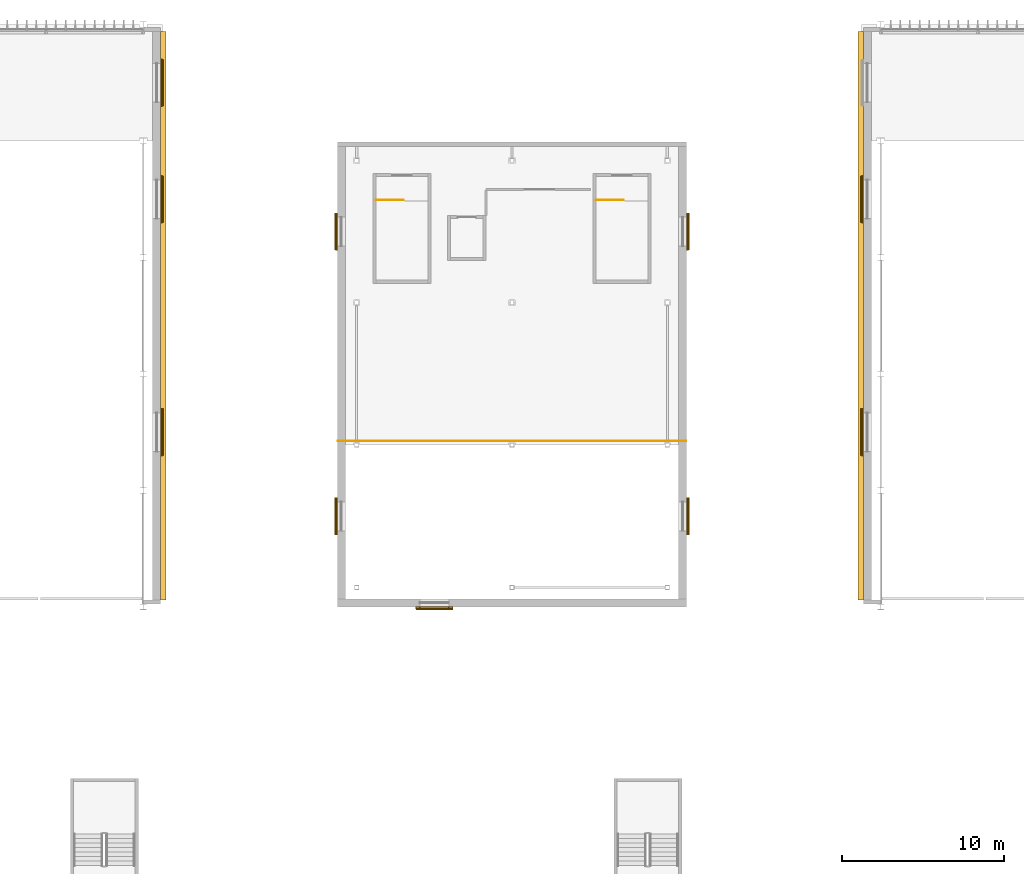
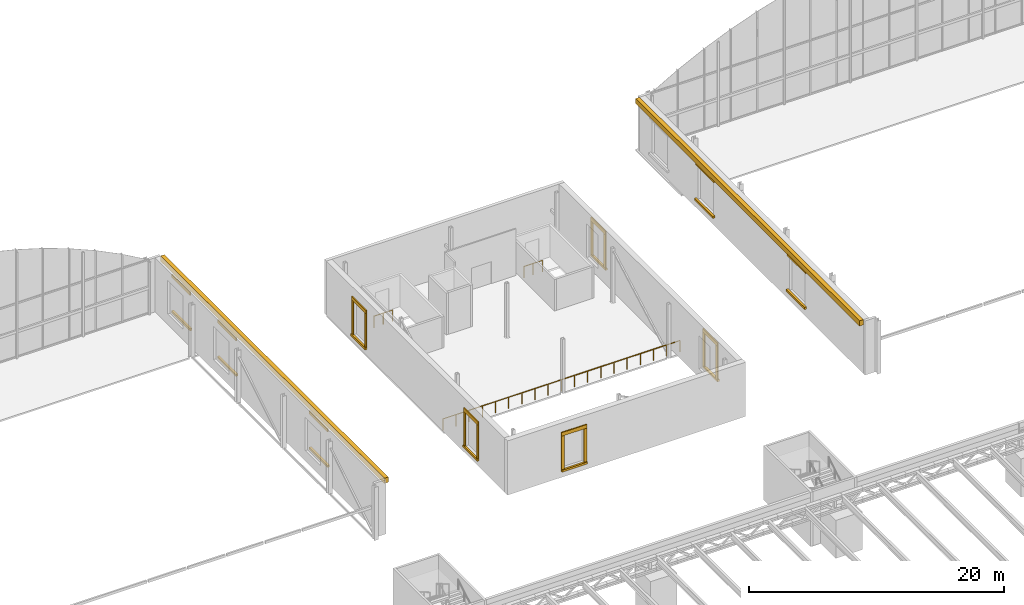
# One storey, part 86 of 93: 32 coverings, 3 railings.
"""IFC4 building model written with IfcOpenShell, lengths in metres."""

from ifc_helpers import new_model, si_unit, direction, frame, origin, origin_2d, place, context, subcontext, project, spatial, rectangle, circle, extrude, material, layer, layer_set, type_object, element, save


model = new_model("IFC4")

# Units and contexts
model_context = context("Model", 3, precision=1e-05, world=origin(), true_north=direction((0.0, 1.0)))
body_context = subcontext(model_context, "Body", "Model", "MODEL_VIEW")
ifc_project = project(units=[si_unit("LENGTHUNIT", "METRE"), si_unit("AREAUNIT", "SQUARE_METRE"), si_unit("VOLUMEUNIT", "CUBIC_METRE"), si_unit("PLANEANGLEUNIT", "RADIAN"), si_unit("MASSUNIT", "GRAM", prefix="KILO")], contexts=[model_context])

# Site, building, storey
site_placement = place(None, origin())
site = spatial("IfcSite", under=ifc_project, at=site_placement, CompositionType="ELEMENT")
building_placement = place(site_placement, origin())
building = spatial("IfcBuilding", under=site, at=building_placement, Name="Verrick Yard Athletic Hall", CompositionType="ELEMENT")
storey_placement = place(building_placement, frame((0.0, 0.0, 8.800048828125)))
storey = spatial("IfcBuildingStorey", under=building, at=storey_placement, Name="L02", CompositionType="ELEMENT", Elevation=8.800048828125)

# Railings
ifc_material_1 = material(Name="Stainless steel 316", Category="steel")
railing_type_1 = type_object("IfcRailingType", Name="HB seating guard 1100", PredefinedType="GUARDRAIL", material=ifc_material_1)
railing_1_placement = place(storey_placement, frame((88.050048828125, 82.25, 0.0)))
element("IfcRailing", 1, at=railing_1_placement, inside=storey, type_object=railing_type_1, Name="Climbing hall gallery edge guard", PredefinedType="GUARDRAIL", context=body_context, shape_type="SweptSolid", body=[
    extrude(circle(Radius=0.02392578125, at=origin_2d()), frame((0.0, 0.0, 1.076171875), z_axis=(1.0, 0.0, 0.0), x_axis=(0.0, 1.0, 0.0)), (0.0, 0.0, 1.0), 21.5),
    extrude(circle(Radius=0.02099609375, at=origin_2d()), origin(), (0.0, 0.0, 1.0), 1.052001953125),
    extrude(circle(Radius=0.02099609375, at=origin_2d()), frame((1.1943359375, 0.0, 0.0)), (0.0, 0.0, 1.0), 1.052001953125),
    extrude(circle(Radius=0.02099609375, at=origin_2d()), frame((2.388916015625, 0.0, 0.0)), (0.0, 0.0, 1.0), 1.052001953125),
    extrude(circle(Radius=0.02099609375, at=origin_2d()), frame((3.583251953125, 0.0, 0.0)), (0.0, 0.0, 1.0), 1.052001953125),
    extrude(circle(Radius=0.02099609375, at=origin_2d()), frame((4.77783203125, 0.0, 0.0)), (0.0, 0.0, 1.0), 1.052001953125),
    extrude(circle(Radius=0.02099609375, at=origin_2d()), frame((5.97216796875, 0.0, 0.0)), (0.0, 0.0, 1.0), 1.052001953125),
    extrude(circle(Radius=0.02099609375, at=origin_2d()), frame((7.166748046875, 0.0, 0.0)), (0.0, 0.0, 1.0), 1.052001953125),
    extrude(circle(Radius=0.02099609375, at=origin_2d()), frame((8.361083984375, 0.0, 0.0)), (0.0, 0.0, 1.0), 1.052001953125),
    extrude(circle(Radius=0.02099609375, at=origin_2d()), frame((9.5556640625, 0.0, 0.0)), (0.0, 0.0, 1.0), 1.052001953125),
    extrude(circle(Radius=0.02099609375, at=origin_2d()), frame((10.75, 0.0, 0.0)), (0.0, 0.0, 1.0), 1.052001953125),
    extrude(circle(Radius=0.02099609375, at=origin_2d()), frame((11.9443359375, 0.0, 0.0)), (0.0, 0.0, 1.0), 1.052001953125),
    extrude(circle(Radius=0.02099609375, at=origin_2d()), frame((13.138916015625, 0.0, 0.0)), (0.0, 0.0, 1.0), 1.052001953125),
    extrude(circle(Radius=0.02099609375, at=origin_2d()), frame((14.333251953125, 0.0, 0.0)), (0.0, 0.0, 1.0), 1.052001953125),
    extrude(circle(Radius=0.02099609375, at=origin_2d()), frame((15.52783203125, 0.0, 0.0)), (0.0, 0.0, 1.0), 1.052001953125),
    extrude(circle(Radius=0.02099609375, at=origin_2d()), frame((16.72216796875, 0.0, 0.0)), (0.0, 0.0, 1.0), 1.052001953125),
    extrude(circle(Radius=0.02099609375, at=origin_2d()), frame((17.916748046875, 0.0, 0.0)), (0.0, 0.0, 1.0), 1.052001953125),
    extrude(circle(Radius=0.02099609375, at=origin_2d()), frame((19.111083984375, 0.0, 0.0)), (0.0, 0.0, 1.0), 1.052001953125),
    extrude(circle(Radius=0.02099609375, at=origin_2d()), frame((20.3056640625, 0.0, 0.0)), (0.0, 0.0, 1.0), 1.052001953125),
    extrude(circle(Radius=0.02099609375, at=origin_2d()), frame((21.5, 0.0, 0.0)), (0.0, 0.0, 1.0), 1.052001953125),
])
ifc_material_2 = material(Name="Stainless steel", Category="steel")
railing_type_2 = type_object("IfcRailingType", Name="Stair and core guard 1100", PredefinedType="GUARDRAIL", material=ifc_material_2)
railing_2_placement = place(storey_placement, frame((104.0, 97.14990234375, 0.0)))
element("IfcRailing", 2, at=railing_2_placement, inside=storey, type_object=railing_type_2, Name="L02 Climbing hall east top well guard 1", PredefinedType="GUARDRAIL", context=body_context, shape_type="SweptSolid", body=[
    extrude(circle(Radius=0.02392578125, at=origin_2d()), frame((0.0, 0.0, 1.076171875), z_axis=(1.0, 0.0, 0.0), x_axis=(0.0, 1.0, 0.0)), (0.0, 0.0, 1.0), 1.699951171875),
    extrude(circle(Radius=0.02099609375, at=origin_2d()), origin(), (0.0, 0.0, 1.0), 1.052001953125),
    extrude(circle(Radius=0.02099609375, at=origin_2d()), frame((0.85009765625, 0.0, 0.0)), (0.0, 0.0, 1.0), 1.052001953125),
    extrude(circle(Radius=0.02099609375, at=origin_2d()), frame((1.699951171875, 0.0, 0.0)), (0.0, 0.0, 1.0), 1.052001953125),
])
railing_3_placement = place(storey_placement, frame((90.39990234375, 97.14990234375, 0.0)))
element("IfcRailing", 3, at=railing_3_placement, inside=storey, type_object=railing_type_2, Name="L02 Climbing hall west top well guard 1", PredefinedType="GUARDRAIL", context=body_context, shape_type="SweptSolid", body=[
    extrude(circle(Radius=0.02392578125, at=origin_2d()), frame((0.0, 0.0, 1.076171875), z_axis=(1.0, 0.0, 0.0), x_axis=(0.0, 1.0, 0.0)), (0.0, 0.0, 1.0), 1.7001953125),
    extrude(circle(Radius=0.02099609375, at=origin_2d()), origin(), (0.0, 0.0, 1.0), 1.052001953125),
    extrude(circle(Radius=0.02099609375, at=origin_2d()), frame((0.85009765625, 0.0, 0.0)), (0.0, 0.0, 1.0), 1.052001953125),
    extrude(circle(Radius=0.02099609375, at=origin_2d()), frame((1.7001953125, 0.0, 0.0)), (0.0, 0.0, 1.0), 1.052001953125),
])

# Coverings
ifc_material_3 = material(Name="Tyndall-stone-look precast cladding", Category="masonry")
ifc_layer = layer(ifc_material_3, 0.25)
ifc_layer_set = layer_set([ifc_layer], Name="Stone moulding")
covering_type = type_object("IfcCoveringType", Name="Stone moulding", PredefinedType="MOLDING", material=ifc_layer_set)
covering_1_placement = place(storey_placement, frame((94.0, 71.909912109375, 0.60009765625), z_axis=(0.0, 0.0, 1.0), x_axis=(1.0, 0.0, 0.0)))
element("IfcCovering", 4, at=covering_1_placement, inside=storey, type_object=covering_type, Name="Window sill", PredefinedType="MOLDING", context=body_context, shape_type="SweptSolid", body=[
    extrude(rectangle(XDim=2.300048828125, YDim=0.179931640625, at=origin_2d()), origin(), (0.0, 0.0, 1.0), 0.199951171875),
])
covering_2_placement = place(storey_placement, frame((94.0, 71.949951171875, 4.0), z_axis=(0.0, 0.0, 1.0), x_axis=(1.0, 0.0, 0.0)))
element("IfcCovering", 5, at=covering_2_placement, inside=storey, type_object=covering_type, Name="Window head", PredefinedType="MOLDING", context=body_context, shape_type="SweptSolid", body=[
    extrude(rectangle(XDim=2.300048828125, YDim=0.10009765625, at=origin_2d()), origin(), (0.0, 0.0, 1.0), 0.35009765625),
])
for number, where, z_axis, x_axis, name in (
    (6, (92.97509765625, 71.949951171875, 0.7998046875), (0.0, 0.0, 1.0), (1.0, 0.0, 0.0), "Window jamb"),
    (7, (95.02490234375, 71.949951171875, 0.7998046875), (0.0, 0.0, 1.0), (1.0, 0.0, 0.0), "Window jamb"),
):
    element("IfcCovering", number, at=place(storey_placement, frame(where, z_axis=z_axis, x_axis=x_axis)), inside=storey, type_object=covering_type, Name=name, PredefinedType="MOLDING", context=body_context, shape_type="SweptSolid", body=[
        extrude(rectangle(XDim=0.25, YDim=0.10009765625, at=origin_2d()), origin(), (0.0, 0.0, 1.0), 3.199951171875),
    ])
covering_3_placement = place(storey_placement, frame((87.909912109375, 77.60009765625, 0.60009765625), z_axis=(0.0, 0.0, 1.0), x_axis=(0.0, 1.0, 0.0)))
element("IfcCovering", 8, at=covering_3_placement, inside=storey, type_object=covering_type, Name="Window sill", PredefinedType="MOLDING", context=body_context, shape_type="SweptSolid", body=[
    extrude(rectangle(XDim=2.300048828125, YDim=0.179931640625, at=origin_2d()), origin(), (0.0, 0.0, 1.0), 0.199951171875),
])
covering_4_placement = place(storey_placement, frame((87.949951171875, 77.60009765625, 4.0), z_axis=(0.0, 0.0, 1.0), x_axis=(0.0, 1.0, 0.0)))
element("IfcCovering", 9, at=covering_4_placement, inside=storey, type_object=covering_type, Name="Window head", PredefinedType="MOLDING", context=body_context, shape_type="SweptSolid", body=[
    extrude(rectangle(XDim=2.300048828125, YDim=0.10009765625, at=origin_2d()), origin(), (0.0, 0.0, 1.0), 0.35009765625),
])
for number, where, z_axis, x_axis, name in (
    (10, (87.949951171875, 76.574951171875, 0.7998046875), (0.0, 0.0, 1.0), (0.0, 1.0, 0.0), "Window jamb"),
    (11, (87.949951171875, 78.625, 0.7998046875), (0.0, 0.0, 1.0), (0.0, 1.0, 0.0), "Window jamb"),
):
    element("IfcCovering", number, at=place(storey_placement, frame(where, z_axis=z_axis, x_axis=x_axis)), inside=storey, type_object=covering_type, Name=name, PredefinedType="MOLDING", context=body_context, shape_type="SweptSolid", body=[
        extrude(rectangle(XDim=0.25, YDim=0.10009765625, at=origin_2d()), origin(), (0.0, 0.0, 1.0), 3.199951171875),
    ])
covering_5_placement = place(storey_placement, frame((87.909912109375, 95.199951171875, 0.60009765625), z_axis=(0.0, 0.0, 1.0), x_axis=(0.0, 1.0, 0.0)))
element("IfcCovering", 12, at=covering_5_placement, inside=storey, type_object=covering_type, Name="Window sill", PredefinedType="MOLDING", context=body_context, shape_type="SweptSolid", body=[
    extrude(rectangle(XDim=2.300048828125, YDim=0.179931640625, at=origin_2d()), origin(), (0.0, 0.0, 1.0), 0.199951171875),
])
covering_6_placement = place(storey_placement, frame((87.949951171875, 95.199951171875, 4.0), z_axis=(0.0, 0.0, 1.0), x_axis=(0.0, 1.0, 0.0)))
element("IfcCovering", 13, at=covering_6_placement, inside=storey, type_object=covering_type, Name="Window head", PredefinedType="MOLDING", context=body_context, shape_type="SweptSolid", body=[
    extrude(rectangle(XDim=2.300048828125, YDim=0.10009765625, at=origin_2d()), origin(), (0.0, 0.0, 1.0), 0.35009765625),
])
for number, where, z_axis, x_axis, name in (
    (14, (87.949951171875, 94.175048828125, 0.7998046875), (0.0, 0.0, 1.0), (0.0, 1.0, 0.0), "Window jamb"),
    (15, (87.949951171875, 96.22509765625, 0.7998046875), (0.0, 0.0, 1.0), (0.0, 1.0, 0.0), "Window jamb"),
):
    element("IfcCovering", number, at=place(storey_placement, frame(where, z_axis=z_axis, x_axis=x_axis)), inside=storey, type_object=covering_type, Name=name, PredefinedType="MOLDING", context=body_context, shape_type="SweptSolid", body=[
        extrude(rectangle(XDim=0.25, YDim=0.10009765625, at=origin_2d()), origin(), (0.0, 0.0, 1.0), 3.199951171875),
    ])
covering_7_placement = place(storey_placement, frame((109.68994140625, 77.60009765625, 0.60009765625), z_axis=(0.0, 0.0, 1.0), x_axis=(0.0, 1.0, 0.0)))
element("IfcCovering", 16, at=covering_7_placement, inside=storey, type_object=covering_type, Name="Window sill", PredefinedType="MOLDING", context=body_context, shape_type="SweptSolid", body=[
    extrude(rectangle(XDim=2.300048828125, YDim=0.179931640625, at=origin_2d()), origin(), (0.0, 0.0, 1.0), 0.199951171875),
])
covering_8_placement = place(storey_placement, frame((109.64990234375, 77.60009765625, 4.0), z_axis=(0.0, 0.0, 1.0), x_axis=(0.0, 1.0, 0.0)))
element("IfcCovering", 17, at=covering_8_placement, inside=storey, type_object=covering_type, Name="Window head", PredefinedType="MOLDING", context=body_context, shape_type="SweptSolid", body=[
    extrude(rectangle(XDim=2.300048828125, YDim=0.10009765625, at=origin_2d()), origin(), (0.0, 0.0, 1.0), 0.35009765625),
])
for number, where, z_axis, x_axis, name in (
    (18, (109.64990234375, 76.574951171875, 0.7998046875), (0.0, 0.0, 1.0), (0.0, 1.0, 0.0), "Window jamb"),
    (19, (109.64990234375, 78.625, 0.7998046875), (0.0, 0.0, 1.0), (0.0, 1.0, 0.0), "Window jamb"),
):
    element("IfcCovering", number, at=place(storey_placement, frame(where, z_axis=z_axis, x_axis=x_axis)), inside=storey, type_object=covering_type, Name=name, PredefinedType="MOLDING", context=body_context, shape_type="SweptSolid", body=[
        extrude(rectangle(XDim=0.25, YDim=0.10009765625, at=origin_2d()), origin(), (0.0, 0.0, 1.0), 3.199951171875),
    ])
covering_9_placement = place(storey_placement, frame((109.68994140625, 95.199951171875, 0.60009765625), z_axis=(0.0, 0.0, 1.0), x_axis=(0.0, 1.0, 0.0)))
element("IfcCovering", 20, at=covering_9_placement, inside=storey, type_object=covering_type, Name="Window sill", PredefinedType="MOLDING", context=body_context, shape_type="SweptSolid", body=[
    extrude(rectangle(XDim=2.300048828125, YDim=0.179931640625, at=origin_2d()), origin(), (0.0, 0.0, 1.0), 0.199951171875),
])
covering_10_placement = place(storey_placement, frame((109.64990234375, 95.199951171875, 4.0), z_axis=(0.0, 0.0, 1.0), x_axis=(0.0, 1.0, 0.0)))
element("IfcCovering", 21, at=covering_10_placement, inside=storey, type_object=covering_type, Name="Window head", PredefinedType="MOLDING", context=body_context, shape_type="SweptSolid", body=[
    extrude(rectangle(XDim=2.300048828125, YDim=0.10009765625, at=origin_2d()), origin(), (0.0, 0.0, 1.0), 0.35009765625),
])
for number, where, z_axis, x_axis, name in (
    (22, (109.64990234375, 94.175048828125, 0.7998046875), (0.0, 0.0, 1.0), (0.0, 1.0, 0.0), "Window jamb"),
    (23, (109.64990234375, 96.22509765625, 0.7998046875), (0.0, 0.0, 1.0), (0.0, 1.0, 0.0), "Window jamb"),
):
    element("IfcCovering", number, at=place(storey_placement, frame(where, z_axis=z_axis, x_axis=x_axis)), inside=storey, type_object=covering_type, Name=name, PredefinedType="MOLDING", context=body_context, shape_type="SweptSolid", body=[
        extrude(rectangle(XDim=0.25, YDim=0.10009765625, at=origin_2d()), origin(), (0.0, 0.0, 1.0), 3.199951171875),
    ])
covering_11_placement = place(storey_placement, frame((120.35009765625, 90.0, 4.699951171875), z_axis=(0.0, 0.0, 1.0), x_axis=(0.0, 1.0, 0.0)))
element("IfcCovering", 24, at=covering_11_placement, inside=storey, type_object=covering_type, Name="Cornice", PredefinedType="MOLDING", context=body_context, shape_type="SweptSolid", body=[
    extrude(rectangle(XDim=35.163330078125, YDim=0.35009765625, at=origin_2d()), origin(), (0.0, 0.0, 1.0), 0.5),
])
covering_12_placement = place(storey_placement, frame((120.43505859375, 82.80078125, 0.7998046875), z_axis=(0.0, 0.0, 1.0), x_axis=(0.0, 1.0, 0.0)))
element("IfcCovering", 25, at=covering_12_placement, inside=storey, type_object=covering_type, Name="Window sill", PredefinedType="MOLDING", context=body_context, shape_type="SweptSolid", body=[
    extrude(rectangle(XDim=2.89990234375, YDim=0.179931640625, at=origin_2d()), origin(), (0.0, 0.0, 1.0), 0.199951171875),
])
covering_13_placement = place(storey_placement, frame((120.47509765625, 82.80078125, 4.19970703125), z_axis=(0.0, 0.0, 1.0), x_axis=(0.0, 1.0, 0.0)))
element("IfcCovering", 26, at=covering_13_placement, inside=storey, type_object=covering_type, Name="Window head", PredefinedType="MOLDING", context=body_context, shape_type="SweptSolid", body=[
    extrude(rectangle(XDim=2.89990234375, YDim=0.10009765625, at=origin_2d()), origin(), (0.0, 0.0, 1.0), 0.300048828125),
])
covering_14_placement = place(storey_placement, frame((120.43505859375, 97.200927734375, 0.7998046875), z_axis=(0.0, 0.0, 1.0), x_axis=(0.0, 1.0, 0.0)))
element("IfcCovering", 27, at=covering_14_placement, inside=storey, type_object=covering_type, Name="Window sill", PredefinedType="MOLDING", context=body_context, shape_type="SweptSolid", body=[
    extrude(rectangle(XDim=2.89990234375, YDim=0.179931640625, at=origin_2d()), origin(), (0.0, 0.0, 1.0), 0.199951171875),
])
covering_15_placement = place(storey_placement, frame((120.47509765625, 97.200927734375, 4.19970703125), z_axis=(0.0, 0.0, 1.0), x_axis=(0.0, 1.0, 0.0)))
element("IfcCovering", 28, at=covering_15_placement, inside=storey, type_object=covering_type, Name="Window head", PredefinedType="MOLDING", context=body_context, shape_type="SweptSolid", body=[
    extrude(rectangle(XDim=2.89990234375, YDim=0.10009765625, at=origin_2d()), origin(), (0.0, 0.0, 1.0), 0.300048828125),
])
covering_16_placement = place(storey_placement, frame((77.25, 90.0, 4.699951171875), z_axis=(0.0, 0.0, 1.0), x_axis=(0.0, 1.0, 0.0)))
element("IfcCovering", 29, at=covering_16_placement, inside=storey, type_object=covering_type, Name="Cornice", PredefinedType="MOLDING", context=body_context, shape_type="SweptSolid", body=[
    extrude(rectangle(XDim=35.163330078125, YDim=0.35009765625, at=origin_2d()), origin(), (0.0, 0.0, 1.0), 0.5),
])
covering_17_placement = place(storey_placement, frame((77.1650390625, 82.80078125, 0.7998046875), z_axis=(0.0, 0.0, 1.0), x_axis=(0.0, 1.0, 0.0)))
element("IfcCovering", 30, at=covering_17_placement, inside=storey, type_object=covering_type, Name="Window sill", PredefinedType="MOLDING", context=body_context, shape_type="SweptSolid", body=[
    extrude(rectangle(XDim=2.89990234375, YDim=0.179931640625, at=origin_2d()), origin(), (0.0, 0.0, 1.0), 0.199951171875),
])
covering_18_placement = place(storey_placement, frame((77.125, 82.80078125, 4.19970703125), z_axis=(0.0, 0.0, 1.0), x_axis=(0.0, 1.0, 0.0)))
element("IfcCovering", 31, at=covering_18_placement, inside=storey, type_object=covering_type, Name="Window head", PredefinedType="MOLDING", context=body_context, shape_type="SweptSolid", body=[
    extrude(rectangle(XDim=2.89990234375, YDim=0.10009765625, at=origin_2d()), origin(), (0.0, 0.0, 1.0), 0.300048828125),
])
covering_19_placement = place(storey_placement, frame((77.1650390625, 97.200927734375, 0.7998046875), z_axis=(0.0, 0.0, 1.0), x_axis=(0.0, 1.0, 0.0)))
element("IfcCovering", 32, at=covering_19_placement, inside=storey, type_object=covering_type, Name="Window sill", PredefinedType="MOLDING", context=body_context, shape_type="SweptSolid", body=[
    extrude(rectangle(XDim=2.89990234375, YDim=0.179931640625, at=origin_2d()), origin(), (0.0, 0.0, 1.0), 0.199951171875),
])
covering_20_placement = place(storey_placement, frame((77.125, 97.200927734375, 4.19970703125), z_axis=(0.0, 0.0, 1.0), x_axis=(0.0, 1.0, 0.0)))
element("IfcCovering", 33, at=covering_20_placement, inside=storey, type_object=covering_type, Name="Window head", PredefinedType="MOLDING", context=body_context, shape_type="SweptSolid", body=[
    extrude(rectangle(XDim=2.89990234375, YDim=0.10009765625, at=origin_2d()), origin(), (0.0, 0.0, 1.0), 0.300048828125),
])
covering_21_placement = place(storey_placement, frame((77.1650390625, 104.40087890625, 0.7998046875), z_axis=(0.0, 0.0, 1.0), x_axis=(0.0, 1.0, 0.0)))
element("IfcCovering", 34, at=covering_21_placement, inside=storey, type_object=covering_type, Name="Window sill", PredefinedType="MOLDING", context=body_context, shape_type="SweptSolid", body=[
    extrude(rectangle(XDim=2.89990234375, YDim=0.179931640625, at=origin_2d()), origin(), (0.0, 0.0, 1.0), 0.199951171875),
])
covering_22_placement = place(storey_placement, frame((77.125, 104.40087890625, 4.19970703125), z_axis=(0.0, 0.0, 1.0), x_axis=(0.0, 1.0, 0.0)))
element("IfcCovering", 35, at=covering_22_placement, inside=storey, type_object=covering_type, Name="Window head", PredefinedType="MOLDING", context=body_context, shape_type="SweptSolid", body=[
    extrude(rectangle(XDim=2.89990234375, YDim=0.10009765625, at=origin_2d()), origin(), (0.0, 0.0, 1.0), 0.300048828125),
])

save(model, "model.ifc")
